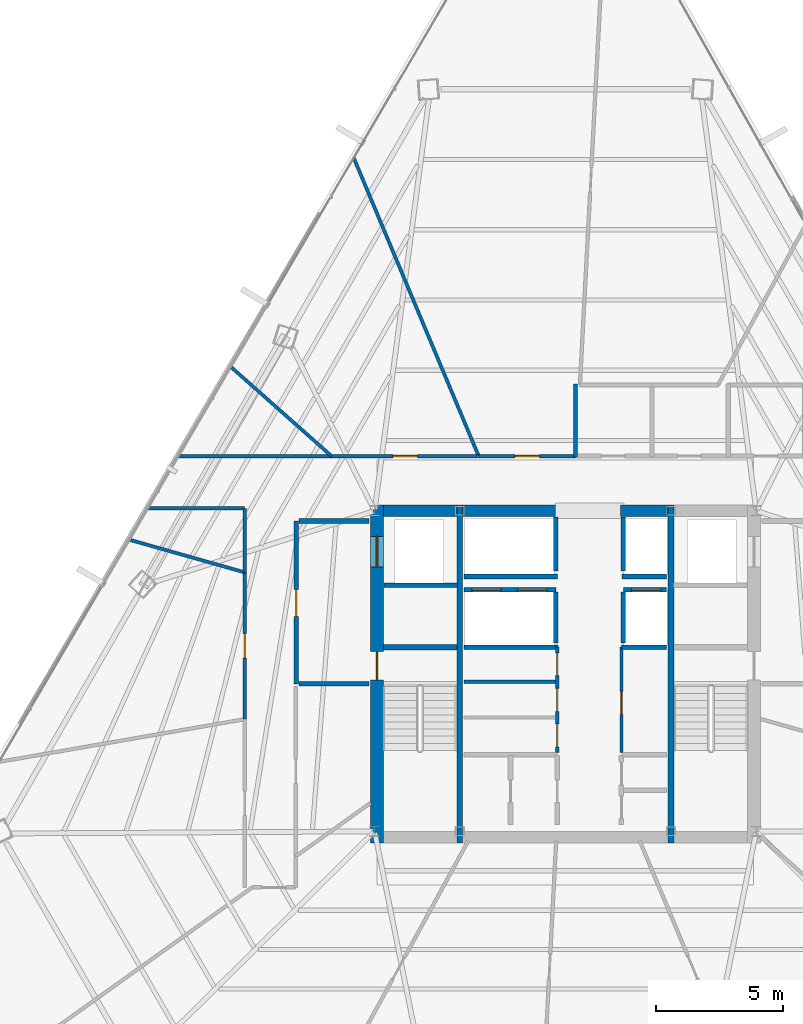
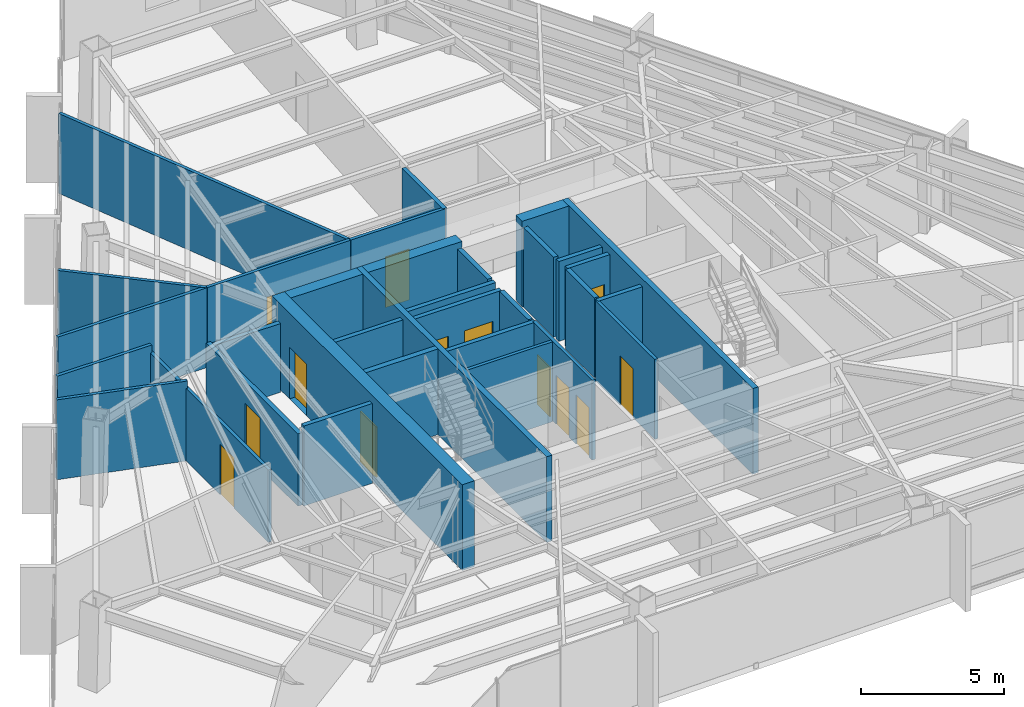
# One storey, part 36 of 42: 34 walls, 13 doors, 13 openings.
"""IFC4 building model written with IfcOpenShell, lengths in metres."""

from ifc_helpers import new_model, si_unit, direction, frame, frame_2d, origin, place, context, subcontext, project, spatial, rectangle, extrude, material, layer, layer_set, type_object, element, fill, save


model = new_model("IFC4")

# Units and contexts
model_context = context("Model", 3, precision=1e-05, world=origin(), true_north=direction((0.0, 1.0)))
body_context = subcontext(model_context, "Body", "Model", "MODEL_VIEW")
ifc_project = project(units=[si_unit("LENGTHUNIT", "METRE"), si_unit("AREAUNIT", "SQUARE_METRE"), si_unit("VOLUMEUNIT", "CUBIC_METRE"), si_unit("PLANEANGLEUNIT", "RADIAN"), si_unit("MASSUNIT", "GRAM", prefix="KILO")], contexts=[model_context])

# Site, building, storey
site_placement = place(None, origin())
site = spatial("IfcSite", under=ifc_project, at=site_placement, CompositionType="ELEMENT")
building_placement = place(site_placement, origin())
building = spatial("IfcBuilding", under=site, at=building_placement, Name="Caelisora Broadcast Tower", CompositionType="ELEMENT")
storey_placement = place(building_placement, frame((0.0, 0.0, 191.35009765625)))
storey = spatial("IfcBuildingStorey", under=building, at=storey_placement, Name="L50", CompositionType="ELEMENT", Elevation=191.35009765625)

# Wall, openings, doors
ifc_material_1 = material(Name="Concrete 50 MPa (AS 3600 S50)", Category="concrete")
ifc_layer_1 = layer(ifc_material_1, 0.5, Name="Concrete 50 MPa (AS 3600 S50)")
ifc_layer_set_1 = layer_set([ifc_layer_1], Name="Concrete 50 MPa (AS 3600 S50)")
wall_type_1 = type_object("IfcWallType", Name="CW2", PredefinedType="SHEAR", material=ifc_layer_set_1)
wall_1_placement = place(storey_placement, frame((30.590087890625, 16.949951171875, 0.0), z_axis=(0.0, 0.0, 1.0), x_axis=(0.0, 1.0, 0.0)))
wall_1 = element("IfcWall", 1, at=wall_1_placement, inside=storey, type_object=wall_type_1, Name="L50 core shear wall CW2", PredefinedType="SHEAR", context=body_context, shape_type="SweptSolid", body=[
    extrude(rectangle(XDim=13.275146484375, YDim=0.5, at=frame_2d((6.6376953125, 0.0))), origin(), (0.0, 0.0, 1.0), 3.64990234375),
])
opening_1_placement = place(wall_1_placement, frame((6.39990234375, 0.0, 0.0)))
opening_1 = element("IfcOpeningElement", 2, at=opening_1_placement, cuts=wall_1, Name="Opening FD04", PredefinedType="OPENING", context=body_context, shape_type="SweptSolid", body=[
    extrude(rectangle(XDim=1.1201171875, YDim=2.14990234375, at=frame_2d((0.56005859375, 1.074951171875))), frame((0.0, 0.261962890625, 0.0), z_axis=(0.0, -1.0, 0.0), x_axis=(1.0, 0.0, 0.0)), (0.0, 0.0, 1.0), 0.52392578125),
])
opening_2_placement = place(wall_1_placement, frame((10.85009765625, 0.0, 0.0)))
opening_2 = element("IfcOpeningElement", 3, at=opening_2_placement, cuts=wall_1, Name="Opening LD04", PredefinedType="OPENING", context=body_context, shape_type="SweptSolid", body=[
    extrude(rectangle(XDim=1.199951171875, YDim=2.199951171875, at=frame_2d((0.60009765625, 1.10009765625))), frame((0.0, 0.261962890625, 0.0), z_axis=(0.0, -1.0, 0.0), x_axis=(1.0, 0.0, 0.0)), (0.0, 0.0, 1.0), 0.52392578125),
])
ifc_material_2 = material(Name="Pressurised Fire-Isolated Stair Door", Category="steel")
door_type_1 = type_object("IfcDoorType", Name="FD04", OperationType="NOTDEFINED", PredefinedType="DOOR", material=ifc_material_2)
door_1_placement = place(opening_1_placement, origin())
door_1 = element("IfcDoor", 4, at=door_1_placement, inside=storey, type_object=door_type_1, Name="L50 door FD04 (L50-DR-ST1)", OperationType="SINGLE_SWING_LEFT", OverallHeight=2.14990234375, OverallWidth=1.1201171875, PredefinedType="DOOR", context=body_context, shape_type="SweptSolid", body=[
    extrude(rectangle(XDim=1.1201171875, YDim=2.14990234375, at=frame_2d((0.56005859375, 1.074951171875))), frame((0.0, 0.02490234375, 0.0), z_axis=(0.0, -1.0, 0.0), x_axis=(1.0, 0.0, 0.0)), (0.0, 0.0, 1.0), 0.050048828125),
])
fill(opening_1, door_1)
ifc_material_3 = material(Name="Emergency Firefighting Lift Sliding Landing Door", Category="steel")
door_type_2 = type_object("IfcDoorType", Name="LD04", OperationType="NOTDEFINED", PredefinedType="DOOR", material=ifc_material_3)
door_2_placement = place(opening_2_placement, origin())
door_2 = element("IfcDoor", 5, at=door_2_placement, inside=storey, type_object=door_type_2, Name="L50 door LD04 (L50-LD-FFL1)", OperationType="SLIDING_TO_LEFT", OverallHeight=2.199951171875, OverallWidth=1.199951171875, PredefinedType="DOOR", context=body_context, shape_type="SweptSolid", body=[
    extrude(rectangle(XDim=1.199951171875, YDim=2.199951171875, at=frame_2d((0.60009765625, 1.10009765625))), frame((0.0, 0.02490234375, 0.0), z_axis=(0.0, -1.0, 0.0), x_axis=(1.0, 0.0, 0.0)), (0.0, 0.0, 1.0), 0.050048828125),
])
fill(opening_2, door_2)

# Walls
ifc_layer_2 = layer(ifc_material_1, 0.449951171875, Name="Concrete 50 MPa (AS 3600 S50)")
ifc_layer_set_2 = layer_set([ifc_layer_2], Name="Concrete 50 MPa (AS 3600 S50)")
wall_type_2 = type_object("IfcWallType", Name="CW5", PredefinedType="SHEAR", material=ifc_layer_set_2)
wall_2_placement = place(storey_placement, frame((30.840087890625, 30.0, 0.0), z_axis=(0.0, 0.0, 1.0), x_axis=(1.0, 0.0, 0.0)))
element("IfcWall", 6, at=wall_2_placement, inside=storey, type_object=wall_type_2, Name="L50 core shear wall CW5", PredefinedType="SHEAR", context=body_context, shape_type="SweptSolid", body=[
    extrude(rectangle(XDim=2.89990234375, YDim=0.449951171875, at=frame_2d((1.449951171875, 0.0))), origin(), (0.0, 0.0, 1.0), 3.64990234375),
])
wall_3_placement = place(storey_placement, frame((33.9599609375, 30.0, 0.0), z_axis=(0.0, 0.0, 1.0), x_axis=(1.0, 0.0, 0.0)))
element("IfcWall", 7, at=wall_3_placement, inside=storey, type_object=wall_type_2, Name="L50 core shear wall CW5", PredefinedType="SHEAR", context=body_context, shape_type="SweptSolid", body=[
    extrude(rectangle(XDim=3.780029296875, YDim=0.449951171875, at=frame_2d((1.89013671875, 0.0))), origin(), (0.0, 0.0, 1.0), 3.64990234375),
])
wall_4_placement = place(storey_placement, frame((40.159912109375, 30.0, 0.0), z_axis=(0.0, 0.0, 1.0), x_axis=(1.0, 0.0, 0.0)))
element("IfcWall", 8, at=wall_4_placement, inside=storey, type_object=wall_type_2, Name="L50 core shear wall CW5", PredefinedType="SHEAR", context=body_context, shape_type="SweptSolid", body=[
    extrude(rectangle(XDim=1.880126953125, YDim=0.449951171875, at=frame_2d((0.93994140625, 0.0))), origin(), (0.0, 0.0, 1.0), 3.64990234375),
])
ifc_layer_3 = layer(ifc_material_1, 0.219970703125, Name="Concrete 50 MPa (AS 3600 S50)")
ifc_layer_set_3 = layer_set([ifc_layer_3], Name="Concrete 50 MPa (AS 3600 S50)")
wall_type_3 = type_object("IfcWallType", Name="CW7", PredefinedType="SHEAR", material=ifc_layer_set_3)
for number, where, z_axis, x_axis, name in (
    (9, (33.85009765625, 16.949951171875, 0.0), (0.0, 0.0, 1.0), (0.0, 1.0, 0.0), "L50 core shear wall CW7"),
    (10, (42.14990234375, 16.949951171875, 0.0), (0.0, 0.0, 1.0), (0.0, 1.0, 0.0), "L50 core shear wall CW7"),
):
    element("IfcWall", number, at=place(storey_placement, frame(where, z_axis=z_axis, x_axis=x_axis)), inside=storey, type_object=wall_type_3, Name=name, PredefinedType="SHEAR", context=body_context, shape_type="SweptSolid", body=[
        extrude(rectangle(XDim=13.275146484375, YDim=0.219970703125, at=frame_2d((6.6376953125, 0.0))), origin(), (0.0, 0.0, 1.0), 3.64990234375),
    ])
wall_5_placement = place(storey_placement, frame((30.840087890625, 24.639892578125, 0.0), z_axis=(0.0, 0.0, 1.0), x_axis=(1.0, 0.0, 0.0)))
element("IfcWall", 11, at=wall_5_placement, inside=storey, type_object=wall_type_3, Name="L50 core shear wall CW7", PredefinedType="SHEAR", context=body_context, shape_type="SweptSolid", body=[
    extrude(rectangle(XDim=2.89990234375, YDim=0.219970703125, at=frame_2d((1.449951171875, 0.0))), origin(), (0.0, 0.0, 1.0), 3.64990234375),
])

# Wall, openings, doors
ifc_material_4 = material(Name="Fire-Rated Gypsum Shaft and Compartment Wall", Category="gypsum")
ifc_layer_4 = layer(ifc_material_4, 0.179931640625, Name="Fire-Rated Gypsum Shaft and Compartment Wall")
ifc_layer_set_4 = layer_set([ifc_layer_4], Name="Fire-Rated Gypsum Shaft and Compartment Wall")
wall_type_4 = type_object("IfcWallType", Name="PW2", PredefinedType="PARTITIONING", material=ifc_layer_set_4)
wall_6_placement = place(storey_placement, frame((34.02001953125, 26.89990234375, 0.0), z_axis=(0.0, 0.0, 1.0), x_axis=(1.0, 0.0, 0.0)))
wall_6 = element("IfcWall", 12, at=wall_6_placement, inside=storey, type_object=wall_type_4, Name="L50 fire compartment wall PW2", PredefinedType="PARTITIONING", context=body_context, shape_type="SweptSolid", body=[
    extrude(rectangle(XDim=3.60009765625, YDim=0.179931640625, at=frame_2d((1.800048828125, 0.0))), origin(), (0.0, 0.0, 1.0), 3.39990234375),
])
opening_3_placement = place(wall_6_placement, frame((0.300048828125, 0.0, 0.0)))
opening_3 = element("IfcOpeningElement", 13, at=opening_3_placement, cuts=wall_6, Name="Opening LD02", PredefinedType="OPENING", context=body_context, shape_type="SweptSolid", body=[
    extrude(rectangle(XDim=1.14990234375, YDim=2.199951171875, at=frame_2d((0.574951171875, 1.10009765625))), frame((0.0, 0.10205078125, 0.0), z_axis=(0.0, -1.0, 0.0), x_axis=(1.0, 0.0, 0.0)), (0.0, 0.0, 1.0), 0.203857421875),
])
opening_4_placement = place(wall_6_placement, frame((2.10009765625, 0.0, 0.0)))
opening_4 = element("IfcOpeningElement", 14, at=opening_4_placement, cuts=wall_6, Name="Opening LD02", PredefinedType="OPENING", context=body_context, shape_type="SweptSolid", body=[
    extrude(rectangle(XDim=1.14990234375, YDim=2.199951171875, at=frame_2d((0.574951171875, 1.10009765625))), frame((0.0, 0.10205078125, 0.0), z_axis=(0.0, -1.0, 0.0), x_axis=(1.0, 0.0, 0.0)), (0.0, 0.0, 1.0), 0.203857421875),
])
ifc_material_5 = material(Name="High-Speed Express Lift Sliding Landing Door", Category="steel")
door_type_3 = type_object("IfcDoorType", Name="LD02", OperationType="NOTDEFINED", PredefinedType="DOOR", material=ifc_material_5)
door_3_placement = place(opening_3_placement, origin())
door_3 = element("IfcDoor", 15, at=door_3_placement, inside=storey, type_object=door_type_3, Name="L50 door LD02 (L50-LD-PLM1)", OperationType="SLIDING_TO_LEFT", OverallHeight=2.199951171875, OverallWidth=1.14990234375, PredefinedType="DOOR", context=body_context, shape_type="SweptSolid", body=[
    extrude(rectangle(XDim=1.14990234375, YDim=2.199951171875, at=frame_2d((0.574951171875, 1.10009765625))), frame((0.0, 0.02490234375, 0.0), z_axis=(0.0, -1.0, 0.0), x_axis=(1.0, 0.0, 0.0)), (0.0, 0.0, 1.0), 0.050048828125),
])
fill(opening_3, door_3)
door_4_placement = place(opening_4_placement, origin())
door_4 = element("IfcDoor", 16, at=door_4_placement, inside=storey, type_object=door_type_3, Name="L50 door LD02 (L50-LD-PLM2)", OperationType="SLIDING_TO_RIGHT", OverallHeight=2.199951171875, OverallWidth=1.14990234375, PredefinedType="DOOR", context=body_context, shape_type="SweptSolid", body=[
    extrude(rectangle(XDim=1.14990234375, YDim=2.199951171875, at=frame_2d((0.574951171875, 1.10009765625))), frame((0.0, 0.02490234375, 0.0), z_axis=(0.0, -1.0, 0.0), x_axis=(1.0, 0.0, 0.0)), (0.0, 0.0, 1.0), 0.050048828125),
])
fill(opening_4, door_4)

# Wall, opening, door
wall_7_placement = place(storey_placement, frame((40.280029296875, 26.89990234375, 0.0), z_axis=(0.0, 0.0, 1.0), x_axis=(1.0, 0.0, 0.0)))
wall_7 = element("IfcWall", 17, at=wall_7_placement, inside=storey, type_object=wall_type_4, Name="L50 fire compartment wall PW2", PredefinedType="PARTITIONING", context=body_context, shape_type="SweptSolid", body=[
    extrude(rectangle(XDim=1.699951171875, YDim=0.179931640625, at=frame_2d((0.85009765625, 0.0))), origin(), (0.0, 0.0, 1.0), 3.39990234375),
])
opening_5_placement = place(wall_7_placement, frame((0.320068359375, 0.0, 0.0)))
opening_5 = element("IfcOpeningElement", 18, at=opening_5_placement, cuts=wall_7, Name="Opening LD02", PredefinedType="OPENING", context=body_context, shape_type="SweptSolid", body=[
    extrude(rectangle(XDim=1.14990234375, YDim=2.199951171875, at=frame_2d((0.574951171875, 1.10009765625))), frame((0.0, 0.10205078125, 0.0), z_axis=(0.0, -1.0, 0.0), x_axis=(1.0, 0.0, 0.0)), (0.0, 0.0, 1.0), 0.203857421875),
])
door_5_placement = place(opening_5_placement, origin())
door_5 = element("IfcDoor", 19, at=door_5_placement, inside=storey, type_object=door_type_3, Name="L50 door LD02 (L50-LD-PLM3)", OperationType="SLIDING_TO_LEFT", OverallHeight=2.199951171875, OverallWidth=1.14990234375, PredefinedType="DOOR", context=body_context, shape_type="SweptSolid", body=[
    extrude(rectangle(XDim=1.14990234375, YDim=2.199951171875, at=frame_2d((0.574951171875, 1.10009765625))), frame((0.0, 0.02490234375, 0.0), z_axis=(0.0, -1.0, 0.0), x_axis=(1.0, 0.0, 0.0)), (0.0, 0.0, 1.0), 0.050048828125),
])
fill(opening_5, door_5)

# Walls
for number, where, z_axis, x_axis, name in (
    (20, (37.6201171875, 24.800048828125, 0.0), (0.0, 0.0, 1.0), (0.0, 1.0, 0.0), "L50 fire compartment wall PW2"),
    (21, (40.280029296875, 24.800048828125, 0.0), (0.0, 0.0, 1.0), (0.0, 1.0, 0.0), "L50 fire compartment wall PW2"),
):
    element("IfcWall", number, at=place(storey_placement, frame(where, z_axis=z_axis, x_axis=x_axis)), inside=storey, type_object=wall_type_4, Name=name, PredefinedType="PARTITIONING", context=body_context, shape_type="SweptSolid", body=[
        extrude(rectangle(XDim=2.0, YDim=0.179931640625, at=frame_2d((1.0, 0.0))), origin(), (0.0, 0.0, 1.0), 3.39990234375),
    ])
wall_8_placement = place(storey_placement, frame((34.02001953125, 24.639892578125, 0.0), z_axis=(0.0, 0.0, 1.0), x_axis=(1.0, 0.0, 0.0)))
element("IfcWall", 22, at=wall_8_placement, inside=storey, type_object=wall_type_4, Name="L50 fire compartment wall PW2", PredefinedType="PARTITIONING", context=body_context, shape_type="SweptSolid", body=[
    extrude(rectangle(XDim=3.679931640625, YDim=0.179931640625, at=frame_2d((1.83984375, 0.0))), origin(), (0.0, 0.0, 1.0), 3.39990234375),
])
wall_9_placement = place(storey_placement, frame((40.199951171875, 24.639892578125, 0.0), z_axis=(0.0, 0.0, 1.0), x_axis=(1.0, 0.0, 0.0)))
element("IfcWall", 23, at=wall_9_placement, inside=storey, type_object=wall_type_4, Name="L50 fire compartment wall PW2", PredefinedType="PARTITIONING", context=body_context, shape_type="SweptSolid", body=[
    extrude(rectangle(XDim=1.780029296875, YDim=0.179931640625, at=frame_2d((0.89013671875, 0.0))), origin(), (0.0, 0.0, 1.0), 3.39990234375),
])
wall_10_placement = place(storey_placement, frame((34.02001953125, 27.419921875, 0.0), z_axis=(0.0, 0.0, 1.0), x_axis=(1.0, 0.0, 0.0)))
element("IfcWall", 24, at=wall_10_placement, inside=storey, type_object=wall_type_4, Name="L50 fire compartment wall PW2", PredefinedType="PARTITIONING", context=body_context, shape_type="SweptSolid", body=[
    extrude(rectangle(XDim=3.659912109375, YDim=0.179931640625, at=frame_2d((1.830078125, 0.0))), origin(), (0.0, 0.0, 1.0), 3.39990234375),
])
wall_11_placement = place(storey_placement, frame((40.219970703125, 27.419921875, 0.0), z_axis=(0.0, 0.0, 1.0), x_axis=(1.0, 0.0, 0.0)))
element("IfcWall", 25, at=wall_11_placement, inside=storey, type_object=wall_type_4, Name="L50 fire compartment wall PW2", PredefinedType="PARTITIONING", context=body_context, shape_type="SweptSolid", body=[
    extrude(rectangle(XDim=1.760009765625, YDim=0.179931640625, at=frame_2d((0.8798828125, 0.0))), origin(), (0.0, 0.0, 1.0), 3.39990234375),
])
for number, where, z_axis, x_axis, name in (
    (26, (37.6201171875, 27.639892578125, 0.0), (0.0, 0.0, 1.0), (0.0, 1.0, 0.0), "L50 fire compartment wall PW2"),
    (27, (40.280029296875, 27.639892578125, 0.0), (0.0, 0.0, 1.0), (0.0, 1.0, 0.0), "L50 fire compartment wall PW2"),
):
    element("IfcWall", number, at=place(storey_placement, frame(where, z_axis=z_axis, x_axis=x_axis)), inside=storey, type_object=wall_type_4, Name=name, PredefinedType="PARTITIONING", context=body_context, shape_type="SweptSolid", body=[
        extrude(rectangle(XDim=2.110107421875, YDim=0.179931640625, at=frame_2d((1.05517578125, 0.0))), origin(), (0.0, 0.0, 1.0), 3.39990234375),
    ])

# Wall, opening, door
wall_12_placement = place(storey_placement, frame((27.419921875, 23.199951171875, 0.0), z_axis=(0.0, 0.0, 1.0), x_axis=(0.0, 1.0, 0.0)))
wall_12 = element("IfcWall", 28, at=wall_12_placement, inside=storey, type_object=wall_type_4, Name="L50 fire compartment wall PW2", PredefinedType="PARTITIONING", context=body_context, shape_type="SweptSolid", body=[
    extrude(rectangle(XDim=6.400146484375, YDim=0.179931640625, at=frame_2d((3.2001953125, 0.0))), origin(), (0.0, 0.0, 1.0), 3.07763671875),
])
opening_6_placement = place(wall_12_placement, frame((2.64990234375, 0.0, 0.0)))
opening_6 = element("IfcOpeningElement", 29, at=opening_6_placement, cuts=wall_12, Name="Opening FD02", PredefinedType="OPENING", context=body_context, shape_type="SweptSolid", body=[
    extrude(rectangle(XDim=1.050048828125, YDim=2.14990234375, at=frame_2d((0.52490234375, 1.074951171875))), frame((0.0, 0.10205078125, 0.0), z_axis=(0.0, -1.0, 0.0), x_axis=(1.0, 0.0, 0.0)), (0.0, 0.0, 1.0), 0.203857421875),
])
ifc_material_6 = material(Name="Single-Leaf Steel Fire Lobby Door", Category="steel")
door_type_4 = type_object("IfcDoorType", Name="FD02", OperationType="NOTDEFINED", PredefinedType="DOOR", material=ifc_material_6)
door_6_placement = place(opening_6_placement, origin())
door_6 = element("IfcDoor", 30, at=door_6_placement, inside=storey, type_object=door_type_4, Name="L50 door FD02 (L50-DR-P01D1)", OperationType="SINGLE_SWING_RIGHT", OverallHeight=2.14990234375, OverallWidth=1.050048828125, PredefinedType="DOOR", context=body_context, shape_type="SweptSolid", body=[
    extrude(rectangle(XDim=1.050048828125, YDim=2.14990234375, at=frame_2d((0.52490234375, 1.074951171875))), frame((0.0, 0.02490234375, 0.0), z_axis=(0.0, -1.0, 0.0), x_axis=(1.0, 0.0, 0.0)), (0.0, 0.0, 1.0), 0.050048828125),
])
fill(opening_6, door_6)

# Walls
wall_13_placement = place(storey_placement, frame((27.52001953125, 23.199951171875, 0.0), z_axis=(0.0, 0.0, 1.0), x_axis=(1.0, 0.0, 0.0)))
element("IfcWall", 31, at=wall_13_placement, inside=storey, type_object=wall_type_4, Name="L50 fire compartment wall PW2", PredefinedType="PARTITIONING", context=body_context, shape_type="SweptSolid", body=[
    extrude(rectangle(XDim=2.760009765625, YDim=0.179931640625, at=frame_2d((1.3798828125, 0.0))), origin(), (0.0, 0.0, 1.0), 3.39990234375),
])
wall_14_placement = place(storey_placement, frame((27.52001953125, 29.60009765625, 0.0), z_axis=(0.0, 0.0, 1.0), x_axis=(1.0, 0.0, 0.0)))
element("IfcWall", 32, at=wall_14_placement, inside=storey, type_object=wall_type_4, Name="L50 fire compartment wall PW2", PredefinedType="PARTITIONING", context=body_context, shape_type="SweptSolid", body=[
    extrude(rectangle(XDim=2.760009765625, YDim=0.179931640625, at=frame_2d((1.3798828125, 0.0))), origin(), (0.0, 0.0, 1.0), 2.924560546875),
])
wall_15_placement = place(storey_placement, frame((30.860107421875, 27.070068359375, 0.0), z_axis=(0.0, 0.0, 1.0), x_axis=(1.0, 0.0, 0.0)))
element("IfcWall", 33, at=wall_15_placement, inside=storey, type_object=wall_type_4, Name="L50 fire compartment wall PW2", PredefinedType="PARTITIONING", context=body_context, shape_type="SweptSolid", body=[
    extrude(rectangle(XDim=2.89990234375, YDim=0.179931640625, at=frame_2d((1.449951171875, 0.0))), origin(), (0.0, 0.0, 1.0), 3.39990234375),
])
ifc_material_7 = material(Name="Acoustic Steel-Stud Plasterboard Partition", Category="gypsum")
ifc_layer_5 = layer(ifc_material_7, 0.1298828125, Name="Acoustic Steel-Stud Plasterboard Partition")
ifc_layer_set_5 = layer_set([ifc_layer_5], Name="Acoustic Steel-Stud Plasterboard Partition")
wall_type_5 = type_object("IfcWallType", Name="PW3", PredefinedType="PARTITIONING", material=ifc_layer_set_5)
wall_16_placement = place(storey_placement, frame((34.02001953125, 23.280029296875, 0.0), z_axis=(0.0, 0.0, 1.0), x_axis=(1.0, 0.0, 0.0)))
element("IfcWall", 34, at=wall_16_placement, inside=storey, type_object=wall_type_5, Name="L50 internal partition PW3", PredefinedType="PARTITIONING", context=body_context, shape_type="SweptSolid", body=[
    extrude(rectangle(XDim=3.580078125, YDim=0.1298828125, at=frame_2d((1.7900390625, 0.0))), origin(), (0.0, 0.0, 1.0), 3.39990234375),
])

# Wall, openings, doors
wall_17_placement = place(storey_placement, frame((37.679931640625, 20.5, 0.0), z_axis=(0.0, 0.0, 1.0), x_axis=(0.0, 1.0, 0.0)))
wall_17 = element("IfcWall", 35, at=wall_17_placement, inside=storey, type_object=wall_type_5, Name="L50 internal partition PW3", PredefinedType="PARTITIONING", context=body_context, shape_type="SweptSolid", body=[
    extrude(rectangle(XDim=4.139892578125, YDim=0.1298828125, at=frame_2d((2.06982421875, 0.0))), origin(), (0.0, 0.0, 1.0), 3.39990234375),
])
opening_7_placement = place(wall_17_placement, frame((0.219970703125, 0.0, 0.0)))
opening_7 = element("IfcOpeningElement", 36, at=opening_7_placement, cuts=wall_17, Name="Opening FD03", PredefinedType="OPENING", context=body_context, shape_type="SweptSolid", body=[
    extrude(rectangle(XDim=0.89990234375, YDim=2.10009765625, at=frame_2d((0.449951171875, 1.050048828125))), frame((0.0, 0.076904296875, 0.0), z_axis=(0.0, -1.0, 0.0), x_axis=(1.0, 0.0, 0.0)), (0.0, 0.0, 1.0), 0.15380859375),
])
opening_8_placement = place(wall_17_placement, frame((1.6201171875, 0.0, 0.0)))
opening_8 = element("IfcOpeningElement", 37, at=opening_8_placement, cuts=wall_17, Name="Opening FD03", PredefinedType="OPENING", context=body_context, shape_type="SweptSolid", body=[
    extrude(rectangle(XDim=0.89990234375, YDim=2.10009765625, at=frame_2d((0.449951171875, 1.050048828125))), frame((0.0, 0.076904296875, 0.0), z_axis=(0.0, -1.0, 0.0), x_axis=(1.0, 0.0, 0.0)), (0.0, 0.0, 1.0), 0.15380859375),
])
opening_9_placement = place(wall_17_placement, frame((3.02001953125, 0.0, 0.0)))
opening_9 = element("IfcOpeningElement", 38, at=opening_9_placement, cuts=wall_17, Name="Opening FD03", PredefinedType="OPENING", context=body_context, shape_type="SweptSolid", body=[
    extrude(rectangle(XDim=0.89990234375, YDim=2.10009765625, at=frame_2d((0.449951171875, 1.050048828125))), frame((0.0, 0.076904296875, 0.0), z_axis=(0.0, -1.0, 0.0), x_axis=(1.0, 0.0, 0.0)), (0.0, 0.0, 1.0), 0.15380859375),
])
ifc_material_8 = material(Name="Single-Leaf Steel Riser Fire Access Door", Category="steel")
door_type_5 = type_object("IfcDoorType", Name="FD03", OperationType="NOTDEFINED", PredefinedType="DOOR", material=ifc_material_8)
door_7_placement = place(opening_7_placement, origin())
door_7 = element("IfcDoor", 39, at=door_7_placement, inside=storey, type_object=door_type_5, Name="L50 door FD03 (L50-DR-P13D1)", OperationType="SINGLE_SWING_RIGHT", OverallHeight=2.10009765625, OverallWidth=0.89990234375, PredefinedType="DOOR", context=body_context, shape_type="SweptSolid", body=[
    extrude(rectangle(XDim=0.89990234375, YDim=2.10009765625, at=frame_2d((0.449951171875, 1.050048828125))), frame((0.0, 0.02490234375, 0.0), z_axis=(0.0, -1.0, 0.0), x_axis=(1.0, 0.0, 0.0)), (0.0, 0.0, 1.0), 0.050048828125),
])
fill(opening_7, door_7)
door_8_placement = place(opening_8_placement, origin())
door_8 = element("IfcDoor", 40, at=door_8_placement, inside=storey, type_object=door_type_5, Name="L50 door FD03 (L50-DR-P13D2)", OperationType="SINGLE_SWING_LEFT", OverallHeight=2.10009765625, OverallWidth=0.89990234375, PredefinedType="DOOR", context=body_context, shape_type="SweptSolid", body=[
    extrude(rectangle(XDim=0.89990234375, YDim=2.10009765625, at=frame_2d((0.449951171875, 1.050048828125))), frame((0.0, 0.02490234375, 0.0), z_axis=(0.0, -1.0, 0.0), x_axis=(1.0, 0.0, 0.0)), (0.0, 0.0, 1.0), 0.050048828125),
])
fill(opening_8, door_8)
door_9_placement = place(opening_9_placement, origin())
door_9 = element("IfcDoor", 41, at=door_9_placement, inside=storey, type_object=door_type_5, Name="L50 door FD03 (L50-DR-P13D3)", OperationType="SINGLE_SWING_RIGHT", OverallHeight=2.10009765625, OverallWidth=0.89990234375, PredefinedType="DOOR", context=body_context, shape_type="SweptSolid", body=[
    extrude(rectangle(XDim=0.89990234375, YDim=2.10009765625, at=frame_2d((0.449951171875, 1.050048828125))), frame((0.0, 0.02490234375, 0.0), z_axis=(0.0, -1.0, 0.0), x_axis=(1.0, 0.0, 0.0)), (0.0, 0.0, 1.0), 0.050048828125),
])
fill(opening_9, door_9)

# Wall, opening, door
wall_18_placement = place(storey_placement, frame((40.199951171875, 20.5, 0.0), z_axis=(0.0, 0.0, 1.0), x_axis=(0.0, 1.0, 0.0)))
wall_18 = element("IfcWall", 42, at=wall_18_placement, inside=storey, type_object=wall_type_5, Name="L50 internal partition PW3", PredefinedType="PARTITIONING", context=body_context, shape_type="SweptSolid", body=[
    extrude(rectangle(XDim=4.139892578125, YDim=0.1298828125, at=frame_2d((2.06982421875, 0.0))), origin(), (0.0, 0.0, 1.0), 3.39990234375),
])
opening_10_placement = place(wall_18_placement, frame((1.5, 0.0, 0.0)))
opening_10 = element("IfcOpeningElement", 43, at=opening_10_placement, cuts=wall_18, Name="Opening FD03", PredefinedType="OPENING", context=body_context, shape_type="SweptSolid", body=[
    extrude(rectangle(XDim=0.89990234375, YDim=2.10009765625, at=frame_2d((0.449951171875, 1.050048828125))), frame((0.0, 0.076904296875, 0.0), z_axis=(0.0, -1.0, 0.0), x_axis=(1.0, 0.0, 0.0)), (0.0, 0.0, 1.0), 0.15380859375),
])
door_10_placement = place(opening_10_placement, origin())
door_10 = element("IfcDoor", 44, at=door_10_placement, inside=storey, type_object=door_type_5, Name="L50 door FD03 (L50-DR-P14D1)", OperationType="SINGLE_SWING_LEFT", OverallHeight=2.10009765625, OverallWidth=0.89990234375, PredefinedType="DOOR", context=body_context, shape_type="SweptSolid", body=[
    extrude(rectangle(XDim=0.89990234375, YDim=2.10009765625, at=frame_2d((0.449951171875, 1.050048828125))), frame((0.0, 0.02490234375, 0.0), z_axis=(0.0, -1.0, 0.0), x_axis=(1.0, 0.0, 0.0)), (0.0, 0.0, 1.0), 0.050048828125),
])
fill(opening_10, door_10)

# Walls
wall_19_placement = place(storey_placement, frame((29.677734375, 43.8759765625, 0.0), z_axis=(0.0, 0.0, 1.0), x_axis=(0.38638670402, -0.922336877153, 0.0)))
element("IfcWall", 45, at=wall_19_placement, inside=storey, type_object=wall_type_5, Name="L50 internal partition PW3", PredefinedType="PARTITIONING", context=body_context, shape_type="SweptSolid", body=[
    extrude(rectangle(XDim=12.707763671875, YDim=0.1298828125, at=frame_2d((6.35400390625, 0.0))), origin(), (0.0, 0.0, 1.0), 3.39990234375),
])
wall_20_placement = place(storey_placement, frame((28.804931640625, 32.14990234375, 0.0), z_axis=(0.0, 0.0, 1.0), x_axis=(-1.0, 0.0, 0.0)))
element("IfcWall", 46, at=wall_20_placement, inside=storey, type_object=wall_type_5, Name="L50 internal partition PW3", PredefinedType="PARTITIONING", context=body_context, shape_type="SweptSolid", body=[
    extrude(rectangle(XDim=6.01220703125, YDim=0.1298828125, at=frame_2d((3.006103515625, 0.0))), origin(), (0.0, 0.0, 1.0), 3.39990234375),
])

# Wall, opening, door
wall_21_placement = place(storey_placement, frame((28.81494140625, 32.14990234375, 0.0), z_axis=(0.0, 0.0, 1.0), x_axis=(1.0, 0.0, 0.0)))
wall_21 = element("IfcWall", 47, at=wall_21_placement, inside=storey, type_object=wall_type_5, Name="L50 internal partition PW3", PredefinedType="PARTITIONING", context=body_context, shape_type="SweptSolid", body=[
    extrude(rectangle(XDim=5.77001953125, YDim=0.1298828125, at=frame_2d((2.885009765625, 0.0))), origin(), (0.0, 0.0, 1.0), 3.39990234375),
])
opening_11_placement = place(wall_21_placement, frame((2.405029296875, 0.0, 0.0)))
opening_11 = element("IfcOpeningElement", 48, at=opening_11_placement, cuts=wall_21, Name="Opening D01", PredefinedType="OPENING", context=body_context, shape_type="SweptSolid", body=[
    extrude(rectangle(XDim=0.9599609375, YDim=2.14990234375, at=frame_2d((0.47998046875, 1.074951171875))), frame((0.0, 0.076904296875, 0.0), z_axis=(0.0, -1.0, 0.0), x_axis=(1.0, 0.0, 0.0)), (0.0, 0.0, 1.0), 0.15380859375),
])
ifc_material_9 = material(Name="Solid-Core Timber Acoustic Office Door", Category="wood")
door_type_6 = type_object("IfcDoorType", Name="D01", OperationType="NOTDEFINED", PredefinedType="DOOR", material=ifc_material_9)
door_11_placement = place(opening_11_placement, origin())
door_11 = element("IfcDoor", 49, at=door_11_placement, inside=storey, type_object=door_type_6, Name="L50 door D01 (L50-DR-P44D1)", OperationType="SINGLE_SWING_RIGHT", OverallHeight=2.14990234375, OverallWidth=0.9599609375, PredefinedType="DOOR", context=body_context, shape_type="SweptSolid", body=[
    extrude(rectangle(XDim=0.9599609375, YDim=2.14990234375, at=frame_2d((0.47998046875, 1.074951171875))), frame((0.0, 0.02490234375, 0.0), z_axis=(0.0, -1.0, 0.0), x_axis=(1.0, 0.0, 0.0)), (0.0, 0.0, 1.0), 0.050048828125),
])
fill(opening_11, door_11)

wall_22_placement = place(storey_placement, frame((25.39990234375, 21.81494140625, 0.0), z_axis=(0.0, 0.0, 1.0), x_axis=(0.0, 1.0, 0.0)))
wall_22 = element("IfcWall", 50, at=wall_22_placement, inside=storey, type_object=wall_type_5, Name="L50 internal partition PW3", PredefinedType="PARTITIONING", context=body_context, shape_type="SweptSolid", body=[
    extrude(rectangle(XDim=5.760009765625, YDim=0.1298828125, at=frame_2d((2.8798828125, 0.0))), origin(), (0.0, 0.0, 1.0), 3.07763671875),
])
opening_12_placement = place(wall_22_placement, frame((2.39990234375, 0.0, 0.0)))
opening_12 = element("IfcOpeningElement", 51, at=opening_12_placement, cuts=wall_22, Name="Opening D01", PredefinedType="OPENING", context=body_context, shape_type="SweptSolid", body=[
    extrude(rectangle(XDim=0.9599609375, YDim=2.14990234375, at=frame_2d((0.47998046875, 1.074951171875))), frame((0.0, 0.076904296875, 0.0), z_axis=(0.0, -1.0, 0.0), x_axis=(1.0, 0.0, 0.0)), (0.0, 0.0, 1.0), 0.15380859375),
])
door_12_placement = place(opening_12_placement, origin())
door_12 = element("IfcDoor", 52, at=door_12_placement, inside=storey, type_object=door_type_6, Name="L50 door D01 (L50-DR-P45D1)", OperationType="SINGLE_SWING_LEFT", OverallHeight=2.14990234375, OverallWidth=0.9599609375, PredefinedType="DOOR", context=body_context, shape_type="SweptSolid", body=[
    extrude(rectangle(XDim=0.9599609375, YDim=2.14990234375, at=frame_2d((0.47998046875, 1.074951171875))), frame((0.0, 0.02490234375, 0.0), z_axis=(0.0, -1.0, 0.0), x_axis=(1.0, 0.0, 0.0)), (0.0, 0.0, 1.0), 0.050048828125),
])
fill(opening_12, door_12)

# Walls
wall_23_placement = place(storey_placement, frame((24.8515625, 35.656494140625, 0.0), z_axis=(0.0, 0.0, 1.0), x_axis=(0.74849445932, -0.663141044097, 0.0)))
element("IfcWall", 53, at=wall_23_placement, inside=storey, type_object=wall_type_5, Name="L50 internal partition PW3", PredefinedType="PARTITIONING", context=body_context, shape_type="SweptSolid", body=[
    extrude(rectangle(XDim=5.282958984375, YDim=0.1298828125, at=frame_2d((2.6416015625, 0.0))), origin(), (0.0, 0.0, 1.0), 3.39990234375),
])
wall_24_placement = place(storey_placement, frame((20.863037109375, 28.863525390625, 0.0), z_axis=(0.0, 0.0, 1.0), x_axis=(0.962215271035, -0.272289867949, 0.0)))
element("IfcWall", 54, at=wall_24_placement, inside=storey, type_object=wall_type_5, Name="L50 internal partition PW3", PredefinedType="PARTITIONING", context=body_context, shape_type="SweptSolid", body=[
    extrude(rectangle(XDim=4.7099609375, YDim=0.1298828125, at=frame_2d((2.35498046875, 0.0))), origin(), (0.0, 0.0, 1.0), 3.39990234375),
])
wall_25_placement = place(storey_placement, frame((21.589111328125, 30.10009765625, 0.0), z_axis=(0.0, 0.0, 1.0), x_axis=(1.0, 0.0, 0.0)))
element("IfcWall", 55, at=wall_25_placement, inside=storey, type_object=wall_type_5, Name="L50 internal partition PW3", PredefinedType="PARTITIONING", context=body_context, shape_type="SweptSolid", body=[
    extrude(rectangle(XDim=3.805908203125, YDim=0.1298828125, at=frame_2d((1.90283203125, 0.0))), origin(), (0.0, 0.0, 1.0), 3.39990234375),
])

# Wall, opening, door
wall_26_placement = place(storey_placement, frame((34.594970703125, 32.14990234375, 0.0), z_axis=(0.0, 0.0, 1.0), x_axis=(1.0, 0.0, 0.0)))
wall_26 = element("IfcWall", 56, at=wall_26_placement, inside=storey, type_object=wall_type_5, Name="L50 internal partition PW3", PredefinedType="PARTITIONING", context=body_context, shape_type="SweptSolid", body=[
    extrude(rectangle(XDim=3.800048828125, YDim=0.1298828125, at=frame_2d((1.89990234375, 0.0))), origin(), (0.0, 0.0, 1.0), 3.39990234375),
])
opening_13_placement = place(wall_26_placement, frame((1.419921875, 0.0, 0.0)))
opening_13 = element("IfcOpeningElement", 57, at=opening_13_placement, cuts=wall_26, Name="Opening D01", PredefinedType="OPENING", context=body_context, shape_type="SweptSolid", body=[
    extrude(rectangle(XDim=0.9599609375, YDim=2.14990234375, at=frame_2d((0.47998046875, 1.074951171875))), frame((0.0, 0.076904296875, 0.0), z_axis=(0.0, -1.0, 0.0), x_axis=(1.0, 0.0, 0.0)), (0.0, 0.0, 1.0), 0.15380859375),
])
door_13_placement = place(opening_13_placement, origin())
door_13 = element("IfcDoor", 58, at=door_13_placement, inside=storey, type_object=door_type_6, Name="L50 door D01 (L50-DR-P52D1)", OperationType="SINGLE_SWING_RIGHT", OverallHeight=2.14990234375, OverallWidth=0.9599609375, PredefinedType="DOOR", context=body_context, shape_type="SweptSolid", body=[
    extrude(rectangle(XDim=0.9599609375, YDim=2.14990234375, at=frame_2d((0.47998046875, 1.074951171875))), frame((0.0, 0.02490234375, 0.0), z_axis=(0.0, -1.0, 0.0), x_axis=(1.0, 0.0, 0.0)), (0.0, 0.0, 1.0), 0.050048828125),
])
fill(opening_13, door_13)

# Walls
wall_27_placement = place(storey_placement, frame((25.39990234375, 30.094970703125, 0.0), z_axis=(0.0, 0.0, 1.0), x_axis=(0.0, -1.0, 0.0)))
element("IfcWall", 59, at=wall_27_placement, inside=storey, type_object=wall_type_5, Name="L50 internal partition PW3", PredefinedType="PARTITIONING", context=body_context, shape_type="SweptSolid", body=[
    extrude(rectangle(XDim=2.510009765625, YDim=0.1298828125, at=frame_2d((1.2548828125, 0.0))), origin(), (0.0, 0.0, 1.0), 3.07763671875),
])
ifc_material_10 = material(Name="Moisture-Resistant Wet Plumbing Service Wall", Category="gypsum")
ifc_layer_6 = layer(ifc_material_10, 0.159912109375, Name="Moisture-Resistant Wet Plumbing Service Wall")
ifc_layer_set_6 = layer_set([ifc_layer_6], Name="Moisture-Resistant Wet Plumbing Service Wall")
wall_type_6 = type_object("IfcWallType", Name="PW4", PredefinedType="PLUMBINGWALL", material=ifc_layer_set_6)
wall_28_placement = place(storey_placement, frame((38.39990234375, 32.125, 0.0), z_axis=(0.0, 0.0, 1.0), x_axis=(0.0, 1.0, 0.0)))
element("IfcWall", 60, at=wall_28_placement, inside=storey, type_object=wall_type_6, Name="L50 wet plumbing wall PW4", PredefinedType="PLUMBINGWALL", context=body_context, shape_type="SweptSolid", body=[
    extrude(rectangle(XDim=2.85009765625, YDim=0.159912109375, at=frame_2d((1.425048828125, 0.0))), origin(), (0.0, 0.0, 1.0), 3.39990234375),
])

save(model, "model.ifc")
